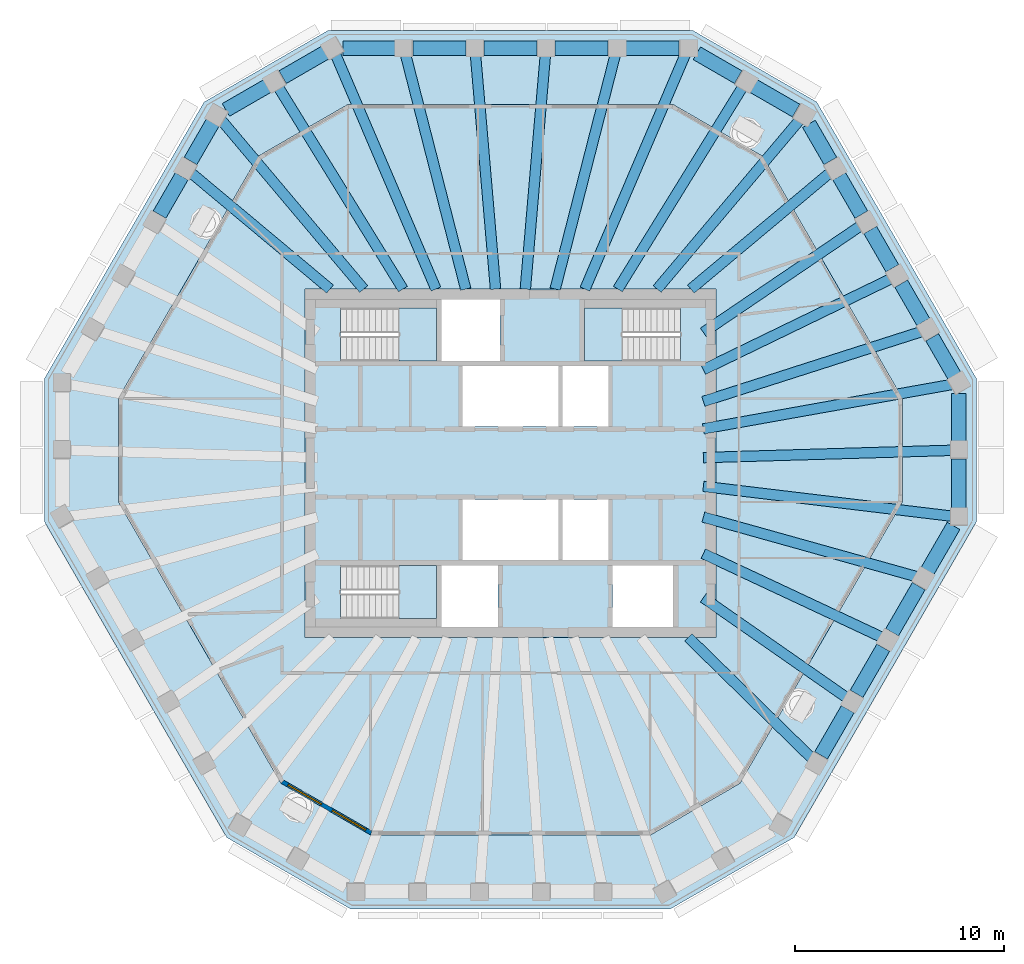
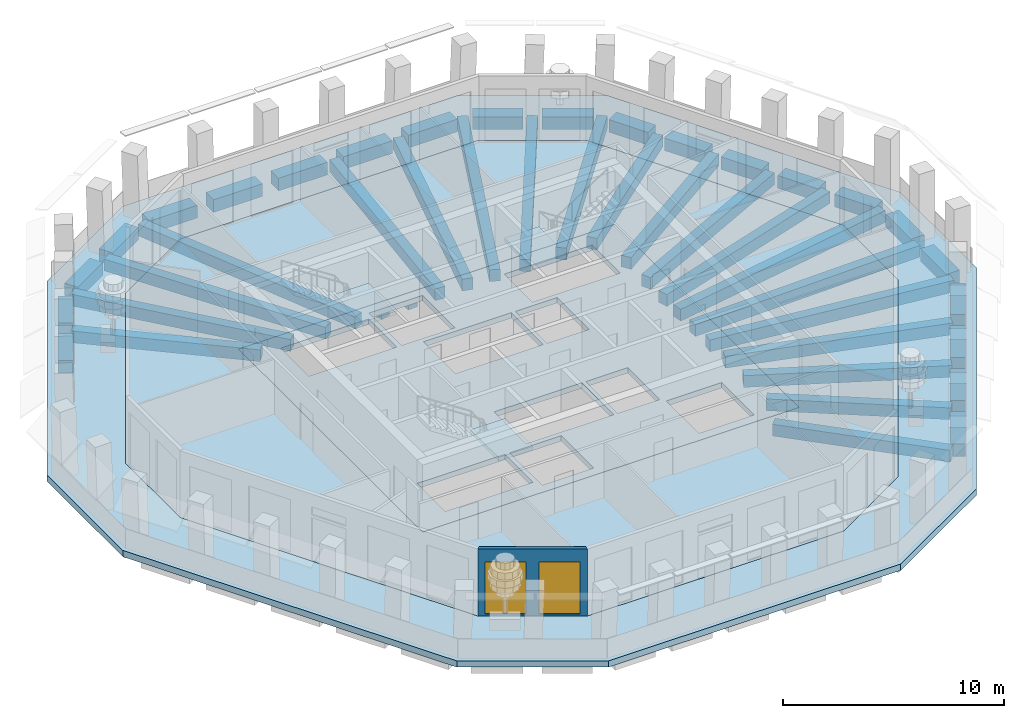
# One storey, part 2 of 11: 44 beams, 6 slabs, 2 windows, 1 wall, 2 openings, 3 elements without a shape of their own.
"""IFC4 building model written with IfcOpenShell, lengths in metres."""

from ifc_helpers import new_model, si_unit, direction, frame, frame_2d, origin, origin_2d, place, context, subcontext, project, spatial, polyline, rectangle, outline, extrude, material, layer, layer_set, material_profile, profile_set, type_object, element, fill, aggregate, save


model = new_model("IFC4")

# Units and contexts
model_context = context("Model", 3, precision=1e-05, world=origin(), true_north=direction((0.0, 1.0)))
body_context = subcontext(model_context, "Body", "Model", "MODEL_VIEW")
ifc_project = project(units=[si_unit("LENGTHUNIT", "METRE"), si_unit("AREAUNIT", "SQUARE_METRE"), si_unit("VOLUMEUNIT", "CUBIC_METRE"), si_unit("PLANEANGLEUNIT", "RADIAN"), si_unit("MASSUNIT", "GRAM", prefix="KILO")], contexts=[model_context])

# Site, building, storey
site_placement = place(None, origin())
site = spatial("IfcSite", under=ifc_project, at=site_placement, CompositionType="ELEMENT")
building_placement = place(site_placement, origin())
building = spatial("IfcBuilding", under=site, at=building_placement, Name="Frailejon Research Tower", CompositionType="ELEMENT")
storey_placement = place(building_placement, frame((0.0, 0.0, 328.60009765625)))
storey = spatial("IfcBuildingStorey", under=building, at=storey_placement, Name="L73", CompositionType="ELEMENT", Elevation=328.60009765625)

# Beams
ifc_material_1 = material(Name="Concrete C60/75", Category="concrete")
ifc_material_profile_1 = material_profile(ifc_material_1, rectangle(XDim=0.5, YDim=0.64990234375, at=origin_2d()), Name="Girder 500x650")
ifc_profile_set_1 = profile_set([ifc_material_profile_1], Name="Concrete C60/75")
beam_type_1 = type_object("IfcBeamType", Name="Girder 500x650", PredefinedType="BEAM", material=ifc_profile_set_1)
beam_1_placement = place(storey_placement, frame((21.21435546875, -2.54443359375, -0.625), z_axis=(-0.992883356134, 0.119090894326, 0.0), x_axis=(-0.119090894326, -0.992883356134, 0.0)))
element("IfcBeam", 1, at=beam_1_placement, inside=storey, type_object=beam_type_1, Name="Girder 500x650", PredefinedType="BEAM", context=body_context, shape_type="SweptSolid", body=[
    extrude(rectangle(XDim=0.5, YDim=0.64990234375, at=origin_2d()), origin(), (0.0, 0.0, 1.0), 12.050048828125),
])
beam_2_placement = place(storey_placement, frame((21.21533203125, 0.62060546875, -0.625), z_axis=(-0.999572220313, -0.029246818281, 0.0), x_axis=(0.029246818281, -0.999572220313, 0.0)))
element("IfcBeam", 2, at=beam_2_placement, inside=storey, type_object=beam_type_1, Name="Girder 500x650", PredefinedType="BEAM", context=body_context, shape_type="SweptSolid", body=[
    extrude(rectangle(XDim=0.5, YDim=0.64990234375, at=origin_2d()), origin(), (0.0, 0.0, 1.0), 11.970458984375),
])
beam_3_placement = place(storey_placement, frame((21.193115234375, 3.781494140625, -0.625), z_axis=(-0.984450328124, -0.175663176152, 0.0), x_axis=(0.175663176152, -0.984450328124, 0.0)))
element("IfcBeam", 3, at=beam_3_placement, inside=storey, type_object=beam_type_1, Name="Girder 500x650", PredefinedType="BEAM", context=body_context, shape_type="SweptSolid", body=[
    extrude(rectangle(XDim=0.5, YDim=0.64990234375, at=origin_2d()), origin(), (0.0, 0.0, 1.0), 12.1318359375),
])
beam_4_placement = place(storey_placement, frame((19.734130859375, 6.319580078125, -0.625), z_axis=(-0.952358204697, -0.304981720676, 0.0), x_axis=(0.304981720676, -0.952358204697, 0.0)))
element("IfcBeam", 4, at=beam_4_placement, inside=storey, type_object=beam_type_1, Name="Girder 500x650", PredefinedType="BEAM", context=body_context, shape_type="SweptSolid", body=[
    extrude(rectangle(XDim=0.5, YDim=0.64990234375, at=origin_2d()), origin(), (0.0, 0.0, 1.0), 11.008544921875),
])
beam_5_placement = place(storey_placement, frame((18.272216796875, 8.85791015625, -0.625), z_axis=(-0.8998387269, -0.43622272473, 0.0), x_axis=(0.43622272473, -0.8998387269, 0.0)))
element("IfcBeam", 5, at=beam_5_placement, inside=storey, type_object=beam_type_1, Name="Girder 500x650", PredefinedType="BEAM", context=body_context, shape_type="SweptSolid", body=[
    extrude(rectangle(XDim=0.5, YDim=0.64990234375, at=origin_2d()), origin(), (0.0, 0.0, 1.0), 10.0263671875),
])
beam_6_placement = place(storey_placement, frame((16.807373046875, 11.395263671875, -0.625), z_axis=(-0.827701551615, -0.561168549951, 0.0), x_axis=(0.561168549951, -0.827701551615, 0.0)))
element("IfcBeam", 6, at=beam_6_placement, inside=storey, type_object=beam_type_1, Name="Girder 500x650", PredefinedType="BEAM", context=body_context, shape_type="SweptSolid", body=[
    extrude(rectangle(XDim=0.5, YDim=0.64990234375, at=origin_2d()), origin(), (0.0, 0.0, 1.0), 9.130615234375),
])
beam_7_placement = place(storey_placement, frame((15.3349609375, 13.94140625, -0.625), z_axis=(-0.76706734513, -0.641566588933, 0.0), x_axis=(0.641566588933, -0.76706734513, 0.0)))
element("IfcBeam", 7, at=beam_7_placement, inside=storey, type_object=beam_type_1, Name="Girder 500x650", PredefinedType="BEAM", context=body_context, shape_type="SweptSolid", body=[
    extrude(rectangle(XDim=0.5, YDim=0.64990234375, at=origin_2d()), origin(), (0.0, 0.0, 1.0), 8.715087890625),
])
beam_8_placement = place(storey_placement, frame((13.884521484375, 16.478515625, -0.625), z_axis=(-0.644350036014, -0.764730691871, 0.0), x_axis=(0.764730691871, -0.644350036014, 0.0)))
element("IfcBeam", 8, at=beam_8_placement, inside=storey, type_object=beam_type_1, Name="Girder 500x650", PredefinedType="BEAM", context=body_context, shape_type="SweptSolid", body=[
    extrude(rectangle(XDim=0.5, YDim=0.64990234375, at=origin_2d()), origin(), (0.0, 0.0, 1.0), 10.629150390625),
])
beam_9_placement = place(storey_placement, frame((11.14501953125, 18.062744140625, -0.625), z_axis=(-0.525107986339, -0.851035606002, 0.0), x_axis=(0.851035606002, -0.525107986339, 0.0)))
element("IfcBeam", 9, at=beam_9_placement, inside=storey, type_object=beam_type_1, Name="Girder 500x650", PredefinedType="BEAM", context=body_context, shape_type="SweptSolid", body=[
    extrude(rectangle(XDim=0.5, YDim=0.64990234375, at=origin_2d()), origin(), (0.0, 0.0, 1.0), 11.412841796875),
])
beam_10_placement = place(storey_placement, frame((8.39013671875, 19.61279296875, -0.625), z_axis=(-0.393315476767, -0.919403576095, 0.0), x_axis=(0.919403576095, -0.393315476767, 0.0)))
element("IfcBeam", 10, at=beam_10_placement, inside=storey, type_object=beam_type_1, Name="Girder 500x650", PredefinedType="BEAM", context=body_context, shape_type="SweptSolid", body=[
    extrude(rectangle(XDim=0.5, YDim=0.64990234375, at=origin_2d()), origin(), (0.0, 0.0, 1.0), 12.25),
])
beam_11_placement = place(storey_placement, frame((5.035888671875, 19.620361328125, -0.625), z_axis=(-0.248598473323, -0.968606627616, 0.0), x_axis=(0.968606627616, -0.248598473323, 0.0)))
element("IfcBeam", 11, at=beam_11_placement, inside=storey, type_object=beam_type_1, Name="Girder 500x650", PredefinedType="BEAM", context=body_context, shape_type="SweptSolid", body=[
    extrude(rectangle(XDim=0.5, YDim=0.64990234375, at=origin_2d()), origin(), (0.0, 0.0, 1.0), 11.635498046875),
])
for number, where, z_axis, x_axis, name in (
    (12, (1.678955078125, 19.62451171875, -0.625), (-0.085245093298, -0.996360012279, 0.0), (0.996360012279, -0.085245093298, 0.0), "Girder 500x650"),
    (13, (-1.678955078125, 19.62451171875, -0.625), (0.085245093298, -0.996360012279, 0.0), (0.996360012279, 0.085245093298, 0.0), "Girder 500x650"),
):
    element("IfcBeam", number, at=place(storey_placement, frame(where, z_axis=z_axis, x_axis=x_axis)), inside=storey, type_object=beam_type_1, Name=name, PredefinedType="BEAM", context=body_context, shape_type="SweptSolid", body=[
        extrude(rectangle(XDim=0.5, YDim=0.64990234375, at=origin_2d()), origin(), (0.0, 0.0, 1.0), 11.315673828125),
    ])
beam_12_placement = place(storey_placement, frame((-5.035888671875, 19.620361328125, -0.625), z_axis=(0.248598473323, -0.968606627616, 0.0), x_axis=(0.968606627616, 0.248598473323, 0.0)))
element("IfcBeam", 14, at=beam_12_placement, inside=storey, type_object=beam_type_1, Name="Girder 500x650", PredefinedType="BEAM", context=body_context, shape_type="SweptSolid", body=[
    extrude(rectangle(XDim=0.5, YDim=0.64990234375, at=origin_2d()), origin(), (0.0, 0.0, 1.0), 11.635498046875),
])
beam_13_placement = place(storey_placement, frame((-8.403564453125, 19.644287109375, -0.625), z_axis=(0.393312361307, -0.919404908864, 0.0), x_axis=(0.919404908864, 0.393312361307, 0.0)))
element("IfcBeam", 15, at=beam_13_placement, inside=storey, type_object=beam_type_1, Name="Girder 500x650", PredefinedType="BEAM", context=body_context, shape_type="SweptSolid", body=[
    extrude(rectangle(XDim=0.5, YDim=0.64990234375, at=origin_2d()), origin(), (0.0, 0.0, 1.0), 12.2841796875),
])
beam_14_placement = place(storey_placement, frame((-11.14501953125, 18.062744140625, -0.625), z_axis=(0.525107986339, -0.851035606002, 0.0), x_axis=(0.851035606002, 0.525107986339, 0.0)))
element("IfcBeam", 16, at=beam_14_placement, inside=storey, type_object=beam_type_1, Name="Girder 500x650", PredefinedType="BEAM", context=body_context, shape_type="SweptSolid", body=[
    extrude(rectangle(XDim=0.5, YDim=0.64990234375, at=origin_2d()), origin(), (0.0, 0.0, 1.0), 11.412841796875),
])
beam_15_placement = place(storey_placement, frame((-13.87158203125, 16.462890625, -0.625), z_axis=(0.644362490104, -0.764720198077, 0.0), x_axis=(0.764720198077, 0.644362490104, 0.0)))
element("IfcBeam", 17, at=beam_15_placement, inside=storey, type_object=beam_type_1, Name="Girder 500x650", PredefinedType="BEAM", context=body_context, shape_type="SweptSolid", body=[
    extrude(rectangle(XDim=0.5, YDim=0.64990234375, at=origin_2d()), origin(), (0.0, 0.0, 1.0), 10.60888671875),
])
beam_16_placement = place(storey_placement, frame((-15.3349609375, 13.94140625, -0.625), z_axis=(0.76706734513, -0.641566588933, 0.0), x_axis=(0.641566588933, 0.76706734513, 0.0)))
element("IfcBeam", 18, at=beam_16_placement, inside=storey, type_object=beam_type_1, Name="Girder 500x650", PredefinedType="BEAM", context=body_context, shape_type="SweptSolid", body=[
    extrude(rectangle(XDim=0.5, YDim=0.64990234375, at=origin_2d()), origin(), (0.0, 0.0, 1.0), 8.715087890625),
])
beam_17_placement = place(storey_placement, frame((14.4736328125, -14.17138671875, -0.625), z_axis=(-0.714534565686, 0.699600138965, 0.0), x_axis=(-0.699600138965, -0.714534565686, 0.0)))
element("IfcBeam", 19, at=beam_17_placement, inside=storey, type_object=beam_type_1, Name="Girder 500x650", PredefinedType="BEAM", context=body_context, shape_type="SweptSolid", body=[
    extrude(rectangle(XDim=0.5, YDim=0.64990234375, at=origin_2d()), origin(), (0.0, 0.0, 1.0), 8.32080078125),
])
beam_18_placement = place(storey_placement, frame((16.15576171875, -11.266357421875, -0.625), z_axis=(-0.820241495827, 0.572017384808, 0.0), x_axis=(-0.572017384808, -0.820241495827, 0.0)))
element("IfcBeam", 20, at=beam_18_placement, inside=storey, type_object=beam_type_1, Name="Girder 500x650", PredefinedType="BEAM", context=body_context, shape_type="SweptSolid", body=[
    extrude(rectangle(XDim=0.5, YDim=0.64990234375, at=origin_2d()), origin(), (0.0, 0.0, 1.0), 8.419189453125),
])
beam_19_placement = place(storey_placement, frame((17.834716796875, -8.358154296875, -0.625), z_axis=(-0.905495116527, 0.424356682457, 0.0), x_axis=(-0.424356682457, -0.905495116527, 0.0)))
element("IfcBeam", 21, at=beam_19_placement, inside=storey, type_object=beam_type_1, Name="Girder 500x650", PredefinedType="BEAM", context=body_context, shape_type="SweptSolid", body=[
    extrude(rectangle(XDim=0.5, YDim=0.64990234375, at=origin_2d()), origin(), (0.0, 0.0, 1.0), 9.480712890625),
])
beam_20_placement = place(storey_placement, frame((19.509765625, -5.44873046875, -0.625), z_axis=(-0.963146606042, 0.268976979072, 0.0), x_axis=(-0.268976979072, -0.963146606042, 0.0)))
element("IfcBeam", 22, at=beam_20_placement, inside=storey, type_object=beam_type_1, Name="Girder 500x650", PredefinedType="BEAM", context=body_context, shape_type="SweptSolid", body=[
    extrude(rectangle(XDim=0.5, YDim=0.64990234375, at=origin_2d()), origin(), (0.0, 0.0, 1.0), 10.65234375),
])
ifc_material_2 = material(Name="Concrete C60/75", Category="concrete")
ifc_material_profile_2 = material_profile(ifc_material_2, rectangle(XDim=0.699951171875, YDim=0.699951171875, at=origin_2d()), Name="Spandrel 700x700")
ifc_profile_set_2 = profile_set([ifc_material_profile_2], Name="Concrete C60/75")
beam_type_2 = type_object("IfcBeamType", Name="Spandrel 700x700", PredefinedType="BEAM", material=ifc_profile_set_2)
beam_21_placement = place(storey_placement, frame((21.490478515625, -2.152587890625, -0.7001953125), z_axis=(0.0, 1.0, 0.0), x_axis=(-1.0, 0.0, 0.0)))
element("IfcBeam", 23, at=beam_21_placement, inside=storey, type_object=beam_type_2, Name="Spandrel 700x700", PredefinedType="BEAM", context=body_context, shape_type="SweptSolid", body=[
    extrude(rectangle(XDim=0.699951171875, YDim=0.699951171875, at=origin_2d()), origin(), (0.0, 0.0, 1.0), 2.356201171875),
])
beam_22_placement = place(storey_placement, frame((21.490478515625, 1.053466796875, -0.7001953125), z_axis=(0.0, 1.0, 0.0), x_axis=(-1.0, 0.0, 0.0)))
element("IfcBeam", 24, at=beam_22_placement, inside=storey, type_object=beam_type_2, Name="Spandrel 700x700", PredefinedType="BEAM", context=body_context, shape_type="SweptSolid", body=[
    extrude(rectangle(XDim=0.699951171875, YDim=0.699951171875, at=origin_2d()), origin(), (0.0, 0.0, 1.0), 2.29052734375),
])
beam_23_placement = place(storey_placement, frame((21.27783203125, 4.20263671875, -0.7001953125), z_axis=(-0.499991648869, 0.866030225258, 0.0), x_axis=(-0.866030225258, -0.499991648869, 0.0)))
element("IfcBeam", 25, at=beam_23_placement, inside=storey, type_object=beam_type_2, Name="Spandrel 700x700", PredefinedType="BEAM", context=body_context, shape_type="SweptSolid", body=[
    extrude(rectangle(XDim=0.699951171875, YDim=0.699951171875, at=origin_2d()), origin(), (0.0, 0.0, 1.0), 2.11962890625),
])
beam_24_placement = place(storey_placement, frame((19.79296875, 6.774658203125, -0.7001953125), z_axis=(-0.500041526391, 0.866001427184, 0.0), x_axis=(-0.866001427184, -0.500041526391, 0.0)))
element("IfcBeam", 26, at=beam_24_placement, inside=storey, type_object=beam_type_2, Name="Spandrel 700x700", PredefinedType="BEAM", context=body_context, shape_type="SweptSolid", body=[
    extrude(rectangle(XDim=0.699951171875, YDim=0.699951171875, at=origin_2d()), origin(), (0.0, 0.0, 1.0), 2.119384765625),
])
for number, where, z_axis, x_axis, name in (
    (27, (18.30810546875, 9.346435546875, -0.7001953125), (-0.499991648869, 0.866030225258, 0.0), (-0.866030225258, -0.499991648869, 0.0), "Spandrel 700x700"),
    (28, (16.8232421875, 11.918212890625, -0.7001953125), (-0.499991648869, 0.866030225258, 0.0), (-0.866030225258, -0.499991648869, 0.0), "Spandrel 700x700"),
):
    element("IfcBeam", number, at=place(storey_placement, frame(where, z_axis=z_axis, x_axis=x_axis)), inside=storey, type_object=beam_type_2, Name=name, PredefinedType="BEAM", context=body_context, shape_type="SweptSolid", body=[
        extrude(rectangle(XDim=0.699951171875, YDim=0.699951171875, at=origin_2d()), origin(), (0.0, 0.0, 1.0), 2.11962890625),
    ])
beam_25_placement = place(storey_placement, frame((15.33837890625, 14.490234375, -0.7001953125), z_axis=(-0.500000293238, 0.866025234483, 0.0), x_axis=(-0.866025234483, -0.500000293238, 0.0)))
element("IfcBeam", 29, at=beam_25_placement, inside=storey, type_object=beam_type_2, Name="Spandrel 700x700", PredefinedType="BEAM", context=body_context, shape_type="SweptSolid", body=[
    extrude(rectangle(XDim=0.699951171875, YDim=0.699951171875, at=origin_2d()), origin(), (0.0, 0.0, 1.0), 2.0537109375),
])
beam_26_placement = place(storey_placement, frame((13.697998046875, 16.906494140625, -0.7001953125), z_axis=(-0.866021643438, 0.500006513054, 0.0), x_axis=(-0.500006513054, -0.866021643438, 0.0)))
element("IfcBeam", 30, at=beam_26_placement, inside=storey, type_object=beam_type_2, Name="Spandrel 700x700", PredefinedType="BEAM", context=body_context, shape_type="SweptSolid", body=[
    extrude(rectangle(XDim=0.699951171875, YDim=0.699951171875, at=origin_2d()), origin(), (0.0, 0.0, 1.0), 2.35595703125),
])
beam_27_placement = place(storey_placement, frame((10.92138671875, 18.509521484375, -0.7001953125), z_axis=(-0.866043571379, 0.499968531483, 0.0), x_axis=(-0.499968531483, -0.866043571379, 0.0)))
element("IfcBeam", 31, at=beam_27_placement, inside=storey, type_object=beam_type_2, Name="Spandrel 700x700", PredefinedType="BEAM", context=body_context, shape_type="SweptSolid", body=[
    extrude(rectangle(XDim=0.699951171875, YDim=0.699951171875, at=origin_2d()), origin(), (0.0, 0.0, 1.0), 2.290283203125),
])
for number, where, z_axis, x_axis, name in (
    (32, (8.087890625, 19.89990234375, -0.7001953125), (-1.0, 0.0, 0.0), (0.0, -1.0, 0.0), "Spandrel 700x700"),
    (33, (4.682861328125, 19.89990234375, -0.7001953125), (-1.0, 0.0, 0.0), (0.0, -1.0, 0.0), "Spandrel 700x700"),
    (34, (1.277587890625, 19.89990234375, -0.7001953125), (-1.0, 0.0, 0.0), (0.0, -1.0, 0.0), "Spandrel 700x700"),
    (35, (-2.127685546875, 19.89990234375, -0.7001953125), (-1.0, 0.0, 0.0), (0.0, -1.0, 0.0), "Spandrel 700x700"),
):
    element("IfcBeam", number, at=place(storey_placement, frame(where, z_axis=z_axis, x_axis=x_axis)), inside=storey, type_object=beam_type_2, Name=name, PredefinedType="BEAM", context=body_context, shape_type="SweptSolid", body=[
        extrude(rectangle(XDim=0.699951171875, YDim=0.699951171875, at=origin_2d()), origin(), (0.0, 0.0, 1.0), 2.55517578125),
    ])
beam_28_placement = place(storey_placement, frame((-5.53271484375, 19.89990234375, -0.7001953125), z_axis=(-1.0, 0.0, 0.0), x_axis=(0.0, -1.0, 0.0)))
element("IfcBeam", 36, at=beam_28_placement, inside=storey, type_object=beam_type_2, Name="Spandrel 700x700", PredefinedType="BEAM", context=body_context, shape_type="SweptSolid", body=[
    extrude(rectangle(XDim=0.699951171875, YDim=0.699951171875, at=origin_2d()), origin(), (0.0, 0.0, 1.0), 2.489501953125),
])
beam_29_placement = place(storey_placement, frame((-8.881103515625, 19.6875, -0.7001953125), z_axis=(-0.866021643438, -0.500006513054, 0.0), x_axis=(0.500006513054, -0.866021643438, 0.0)))
element("IfcBeam", 37, at=beam_29_placement, inside=storey, type_object=beam_type_2, Name="Spandrel 700x700", PredefinedType="BEAM", context=body_context, shape_type="SweptSolid", body=[
    extrude(rectangle(XDim=0.699951171875, YDim=0.699951171875, at=origin_2d()), origin(), (0.0, 0.0, 1.0), 2.35595703125),
])
beam_30_placement = place(storey_placement, frame((-11.65771484375, 18.08447265625, -0.7001953125), z_axis=(-0.86599741159, -0.500048480769, 0.0), x_axis=(0.500048480769, -0.86599741159, 0.0)))
element("IfcBeam", 38, at=beam_30_placement, inside=storey, type_object=beam_type_2, Name="Spandrel 700x700", PredefinedType="BEAM", context=body_context, shape_type="SweptSolid", body=[
    extrude(rectangle(XDim=0.699951171875, YDim=0.699951171875, at=origin_2d()), origin(), (0.0, 0.0, 1.0), 2.290283203125),
])
beam_31_placement = place(storey_placement, frame((-14.278564453125, 16.32568359375, -0.7001953125), z_axis=(-0.500041526391, -0.866001427184, 0.0), x_axis=(0.866001427184, -0.500041526391, 0.0)))
element("IfcBeam", 39, at=beam_31_placement, inside=storey, type_object=beam_type_2, Name="Spandrel 700x700", PredefinedType="BEAM", context=body_context, shape_type="SweptSolid", body=[
    extrude(rectangle(XDim=0.699951171875, YDim=0.699951171875, at=origin_2d()), origin(), (0.0, 0.0, 1.0), 2.119384765625),
])
beam_32_placement = place(storey_placement, frame((-15.763427734375, 13.75390625, -0.7001953125), z_axis=(-0.499991648869, -0.866030225258, 0.0), x_axis=(0.866030225258, -0.499991648869, 0.0)))
element("IfcBeam", 40, at=beam_32_placement, inside=storey, type_object=beam_type_2, Name="Spandrel 700x700", PredefinedType="BEAM", context=body_context, shape_type="SweptSolid", body=[
    extrude(rectangle(XDim=0.699951171875, YDim=0.699951171875, at=origin_2d()), origin(), (0.0, 0.0, 1.0), 2.11962890625),
])
for number, where, z_axis, x_axis, name in (
    (41, (14.892578125, -14.00537109375, -0.7001953125), (0.499992630518, 0.866029658515, 0.0), (-0.866029658515, 0.499992630518, 0.0), "Spandrel 700x700"),
    (42, (16.59521484375, -11.056396484375, -0.7001953125), (0.499992630518, 0.866029658515, 0.0), (-0.866029658515, 0.499992630518, 0.0), "Spandrel 700x700"),
    (43, (18.297607421875, -8.107421875, -0.7001953125), (0.499992630518, 0.866029658515, 0.0), (-0.866029658515, 0.499992630518, 0.0), "Spandrel 700x700"),
):
    element("IfcBeam", number, at=place(storey_placement, frame(where, z_axis=z_axis, x_axis=x_axis)), inside=storey, type_object=beam_type_2, Name=name, PredefinedType="BEAM", context=body_context, shape_type="SweptSolid", body=[
        extrude(rectangle(XDim=0.699951171875, YDim=0.699951171875, at=origin_2d()), origin(), (0.0, 0.0, 1.0), 2.55517578125),
    ])
beam_33_placement = place(storey_placement, frame((20.000244140625, -5.158447265625, -0.7001953125), z_axis=(0.500030873288, 0.86600757835, 0.0), x_axis=(-0.86600757835, 0.500030873288, 0.0)))
element("IfcBeam", 44, at=beam_33_placement, inside=storey, type_object=beam_type_2, Name="Spandrel 700x700", PredefinedType="BEAM", context=body_context, shape_type="SweptSolid", body=[
    extrude(rectangle(XDim=0.699951171875, YDim=0.699951171875, at=origin_2d()), origin(), (0.0, 0.0, 1.0), 2.489501953125),
])

# Slabs
ifc_material_3 = material(Name="Concrete C50/60", Category="concrete")
ifc_layer_1 = layer(ifc_material_3, 0.300048828125)
ifc_layer_set_1 = layer_set([ifc_layer_1], Name="Core floor slab 300 C50/60")
slab_type_1 = type_object("IfcSlabType", Name="Core floor slab 300 C50/60", PredefinedType="FLOOR", material=ifc_layer_set_1)
slab_1_placement = place(storey_placement, frame((0.0, 0.0, -0.300048828125)))
element("IfcSlab", 45, at=slab_1_placement, inside=storey, type_object=slab_type_1, Name="Core floor slab", PredefinedType="FLOOR", context=body_context, shape_type="SweptSolid", body=[
    extrude(outline(polyline([(9.85009765625, -8.35009765625), (9.85009765625, 8.35009765625), (-9.85009765625, 8.35009765625), (-9.85009765625, -8.35009765625), (9.85009765625, -8.35009765625)]), holes=[polyline([(2.300048828125, 1.75), (2.300048828125, 4.64990234375), (-2.300048828125, 4.64990234375), (-2.300048828125, 1.75), (2.300048828125, 1.75)]), polyline([(4.699951171875, 1.75), (4.699951171875, 4.64990234375), (2.5, 4.64990234375), (2.5, 1.75), (4.699951171875, 1.75)]), polyline([(2.300048828125, -4.64990234375), (2.300048828125, -1.75), (-2.300048828125, -1.75), (-2.300048828125, -4.64990234375), (2.300048828125, -4.64990234375)]), polyline([(4.699951171875, -4.64990234375), (4.699951171875, -1.75), (2.5, -1.75), (2.5, -4.64990234375), (4.699951171875, -4.64990234375)]), polyline([(-8.14697265625, 4.89990234375), (-3.550048828125, 4.89990234375), (-3.550048828125, 7.449951171875), (-8.14697265625, 7.449951171875), (-8.14697265625, 4.89990234375)]), polyline([(-8.14697265625, -7.449951171875), (-3.550048828125, -7.449951171875), (-3.550048828125, -4.89990234375), (-8.14697265625, -4.89990234375), (-8.14697265625, -7.449951171875)]), polyline([(8.14697265625, 7.449951171875), (3.550048828125, 7.449951171875), (3.550048828125, 4.89990234375), (8.14697265625, 4.89990234375), (8.14697265625, 7.449951171875)]), polyline([(-0.60009765625, -7.85009765625), (-0.60009765625, -4.89990234375), (-3.300048828125, -4.89990234375), (-3.300048828125, -7.85009765625), (-0.60009765625, -7.85009765625)]), polyline([(7.800048828125, -7.85009765625), (7.800048828125, -4.89990234375), (4.89990234375, -4.89990234375), (4.89990234375, -7.85009765625), (7.800048828125, -7.85009765625)]), polyline([(-0.5, 4.89990234375), (-0.5, 7.85009765625), (-3.300048828125, 7.85009765625), (-3.300048828125, 4.89990234375), (-0.5, 4.89990234375)])]), origin(), (0.0, 0.0, 1.0), 0.300048828125),
])
ifc_material_4 = material(Name="Concrete C40/50", Category="concrete")
ifc_layer_2 = layer(ifc_material_4, 0.35009765625)
ifc_layer_set_2 = layer_set([ifc_layer_2], Name="Loggia slab 350")
slab_type_2 = type_object("IfcSlabType", Name="Loggia slab 350", PredefinedType="USERDEFINED", material=ifc_layer_set_2)
slab_2_placement = place(storey_placement, frame((0.0, 0.0, -0.35009765625)))
element("IfcSlab", 46, at=slab_2_placement, inside=storey, type_object=slab_type_2, Name="Loggia slab L73", ObjectType="LOGGIA", PredefinedType="USERDEFINED", context=body_context, shape_type="SweptSolid", body=[
    extrude(outline(polyline([(13.599609375, -17.944580078125), (7.652099609375, -21.37841796875), (-7.652099609375, -21.37841796875), (-13.599609375, -17.944580078125), (-22.34033203125, -2.805419921875), (-22.34033203125, 4.0625), (-14.688232421875, 17.316162109375), (-8.74072265625, 20.75), (8.74072265625, 20.75), (14.688232421875, 17.316162109375), (22.34033203125, 4.0625), (22.34033203125, -2.805419921875), (13.599609375, -17.944580078125)]), holes=[polyline([(18.790283203125, 3.111083984375), (12.089599609375, 14.71728515625), (7.78955078125, 17.199951171875), (-7.78955078125, 17.199951171875), (-12.089599609375, 14.71728515625), (-18.790283203125, 3.111083984375), (-18.790283203125, -1.85400390625), (-11.0009765625, -15.345947265625), (-6.700927734375, -17.82861328125), (6.700927734375, -17.82861328125), (11.0009765625, -15.345947265625), (18.790283203125, -1.85400390625), (18.790283203125, 3.111083984375)])]), origin(), (0.0, 0.0, 1.0), 0.35009765625),
])
ifc_material_5 = material(Name="Concrete C40/50", Category="concrete")
ifc_layer_3 = layer(ifc_material_5, 0.300048828125)
ifc_layer_set_3 = layer_set([ifc_layer_3], Name="Slab typical 300")
slab_type_3 = type_object("IfcSlabType", Name="Slab typical 300", PredefinedType="FLOOR", material=ifc_layer_set_3)
slab_3_placement = place(storey_placement, frame((0.0, 0.0, -0.300048828125)))
element("IfcSlab", 47, at=slab_3_placement, inside=storey, type_object=slab_type_3, Name="Floor slab L73", PredefinedType="FLOOR", context=body_context, shape_type="SweptSolid", body=[
    extrude(outline(polyline([(18.790283203125, -1.85400390625), (18.790283203125, 3.111083984375), (12.089599609375, 14.71728515625), (7.78955078125, 17.199951171875), (-7.78955078125, 17.199951171875), (-12.089599609375, 14.71728515625), (-18.790283203125, 3.111083984375), (-18.790283203125, -1.85400390625), (-11.0009765625, -15.345947265625), (-6.700927734375, -17.82861328125), (6.700927734375, -17.82861328125), (11.0009765625, -15.345947265625), (18.790283203125, -1.85400390625)]), holes=[polyline([(9.25, 8.35009765625), (9.85009765625, 8.35009765625), (9.85009765625, -8.35009765625), (9.25, -8.35009765625), (-9.25, -8.35009765625), (-9.85009765625, -8.35009765625), (-9.85009765625, 8.35009765625), (-9.25, 8.35009765625), (9.25, 8.35009765625)])]), origin(), (0.0, 0.0, 1.0), 0.300048828125),
])

# Stair, slab
ifc_material_6 = material(Name="Concrete C50/60", Category="concrete")
stair_type = type_object("IfcStairType", Name="Exit stair 22 risers", PredefinedType="HALF_TURN_STAIR", material=ifc_material_6)
stair_1_placement = place(storey_placement, origin())
stair_1 = element("IfcStair", 48, at=stair_1_placement, inside=storey, type_object=stair_type, Name="L73 Exit stair ST1", PredefinedType="HALF_TURN_STAIR")
ifc_material_7 = material(Name="Concrete C50/60", Category="concrete")
ifc_layer_4 = layer(ifc_material_7, 0.199951171875)
ifc_layer_set_4 = layer_set([ifc_layer_4], Name="Stair landing slab 200")
slab_type_4 = type_object("IfcSlabType", Name="Stair landing slab 200", PredefinedType="LANDING", material=ifc_layer_set_4)
slab_4_placement = place(storey_placement, frame((0.0, 0.0, 1.7998046875)))
slab_4 = element("IfcSlab", 49, at=slab_4_placement, type_object=slab_type_4, Name="ST1 landing 1", PredefinedType="LANDING", context=body_context, shape_type="SweptSolid", body=[
    extrude(outline(polyline([(-5.35009765625, 4.89990234375), (-3.550048828125, 4.89990234375), (-3.550048828125, 7.449951171875), (-5.35009765625, 7.449951171875), (-5.35009765625, 4.89990234375)])), origin(), (0.0, 0.0, 1.0), 0.2001953125),
])
aggregate(stair_1, [slab_4])

stair_2_placement = place(storey_placement, origin())
stair_2 = element("IfcStair", 50, at=stair_2_placement, inside=storey, type_object=stair_type, Name="L73 Exit stair ST2", PredefinedType="HALF_TURN_STAIR")
slab_5_placement = place(storey_placement, frame((0.0, 0.0, 1.7998046875)))
slab_5 = element("IfcSlab", 51, at=slab_5_placement, type_object=slab_type_4, Name="ST2 landing 1", PredefinedType="LANDING", context=body_context, shape_type="SweptSolid", body=[
    extrude(outline(polyline([(-5.35009765625, -7.449951171875), (-3.550048828125, -7.449951171875), (-3.550048828125, -4.89990234375), (-5.35009765625, -4.89990234375), (-5.35009765625, -7.449951171875)])), origin(), (0.0, 0.0, 1.0), 0.2001953125),
])
aggregate(stair_2, [slab_5])

stair_3_placement = place(storey_placement, origin())
stair_3 = element("IfcStair", 52, at=stair_3_placement, inside=storey, type_object=stair_type, Name="L73 Exit stair ST3", PredefinedType="HALF_TURN_STAIR")
slab_6_placement = place(storey_placement, frame((0.0, 0.0, 1.7998046875)))
slab_6 = element("IfcSlab", 53, at=slab_6_placement, type_object=slab_type_4, Name="ST3 landing 1", PredefinedType="LANDING", context=body_context, shape_type="SweptSolid", body=[
    extrude(outline(polyline([(5.35009765625, 7.449951171875), (3.550048828125, 7.449951171875), (3.550048828125, 4.89990234375), (5.35009765625, 4.89990234375), (5.35009765625, 7.449951171875)])), origin(), (0.0, 0.0, 1.0), 0.2001953125),
])
aggregate(stair_3, [slab_6])

# Wall, openings, windows
ifc_material_8 = material(Name="Concrete C40/50 precast window wall panel", Category="concrete")
ifc_layer_5 = layer(ifc_material_8, 0.199951171875)
ifc_layer_set_5 = layer_set([ifc_layer_5], Name="Window wall 200")
wall_type = type_object("IfcWallType", Name="Window wall 200", PredefinedType="SOLIDWALL", material=ifc_layer_set_5)
wall_placement = place(storey_placement, frame((-10.927734375, -15.272705078125, 0.0), z_axis=(0.0, 0.0, 1.0), x_axis=(0.866029143232, -0.499993523031, 0.0)))
wall = element("IfcWall", 54, at=wall_placement, inside=storey, type_object=wall_type, Name="Exterior wall L73", PredefinedType="SOLIDWALL", context=body_context, shape_type="SweptSolid", body=[
    extrude(outline(polyline([(-0.02685546875, -0.10009765625), (1.21435546875, -0.10009765625), (2.455810546875, -0.10009765625), (3.697265625, -0.10009765625), (4.9384765625, -0.10009765625), (4.884765625, 0.10009765625), (3.67041015625, 0.10009765625), (2.455810546875, 0.10009765625), (1.2412109375, 0.10009765625), (0.02685546875, 0.10009765625), (-0.02685546875, -0.10009765625)])), origin(), (0.0, 0.0, 1.0), 3.699951171875),
])
opening_1_placement = place(wall_placement, frame((0.302978515625, 0.0, 0.10009765625)))
opening_1 = element("IfcOpeningElement", 55, at=opening_1_placement, cuts=wall, Name="Opening W26", PredefinedType="OPENING", context=body_context, shape_type="SweptSolid", body=[
    extrude(rectangle(XDim=1.85009765625, YDim=2.89990234375, at=frame_2d((0.925048828125, 1.449951171875))), frame((0.0, 0.10986328125, 0.0), z_axis=(0.0, -1.0, 0.0), x_axis=(1.0, 0.0, 0.0)), (0.0, 0.0, 1.0), 0.219970703125),
])
opening_2_placement = place(wall_placement, frame((2.7587890625, 0.0, 0.10009765625)))
opening_2 = element("IfcOpeningElement", 56, at=opening_2_placement, cuts=wall, Name="Opening W26", PredefinedType="OPENING", context=body_context, shape_type="SweptSolid", body=[
    extrude(rectangle(XDim=1.85009765625, YDim=2.89990234375, at=frame_2d((0.925048828125, 1.449951171875))), frame((0.0, 0.10986328125, 0.0), z_axis=(0.0, -1.0, 0.0), x_axis=(1.0, 0.0, 0.0)), (0.0, 0.0, 1.0), 0.219970703125),
])
ifc_material_9 = material(Name="Aluminium framed double glazing", Category="aluminium")
window_type = type_object("IfcWindowType", Name="Window 1850x2900", PartitioningType="SINGLE_PANEL", PredefinedType="WINDOW", material=ifc_material_9)
window_1_placement = place(opening_1_placement, origin())
window_1 = element("IfcWindow", 57, at=window_1_placement, inside=storey, type_object=window_type, Name="Window L73", OverallHeight=2.89990234375, OverallWidth=1.85009765625, PartitioningType="SINGLE_PANEL", PredefinedType="WINDOW", context=body_context, shape_type="SweptSolid", body=[
    extrude(rectangle(XDim=1.85009765625, YDim=2.89990234375, at=frame_2d((0.925048828125, 1.449951171875))), frame((0.0, 0.030029296875, 0.0), z_axis=(0.0, -1.0, 0.0), x_axis=(1.0, 0.0, 0.0)), (0.0, 0.0, 1.0), 0.06005859375),
])
fill(opening_1, window_1)
window_2_placement = place(opening_2_placement, origin())
window_2 = element("IfcWindow", 58, at=window_2_placement, inside=storey, type_object=window_type, Name="Window L73", OverallHeight=2.89990234375, OverallWidth=1.85009765625, PartitioningType="SINGLE_PANEL", PredefinedType="WINDOW", context=body_context, shape_type="SweptSolid", body=[
    extrude(rectangle(XDim=1.85009765625, YDim=2.89990234375, at=frame_2d((0.925048828125, 1.449951171875))), frame((0.0, 0.030029296875, 0.0), z_axis=(0.0, -1.0, 0.0), x_axis=(1.0, 0.0, 0.0)), (0.0, 0.0, 1.0), 0.06005859375),
])
fill(opening_2, window_2)

save(model, "model.ifc")
